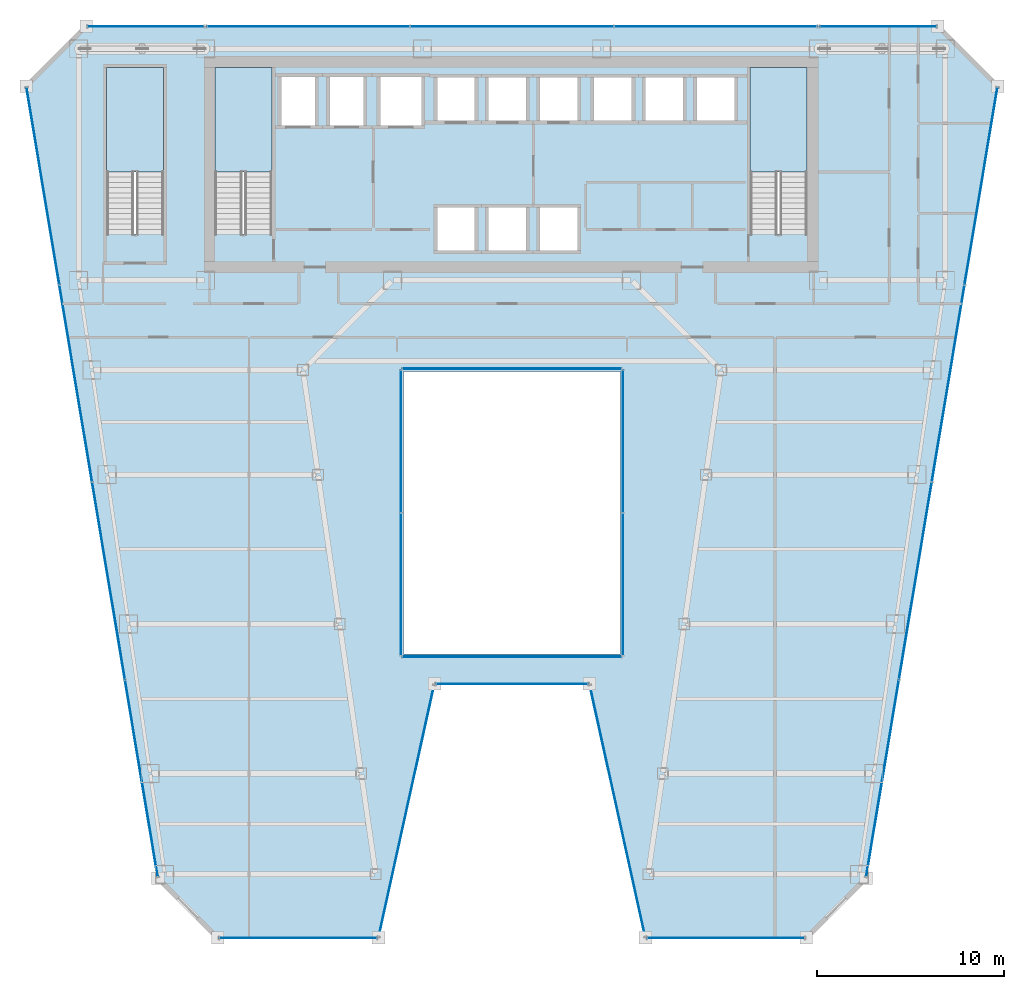
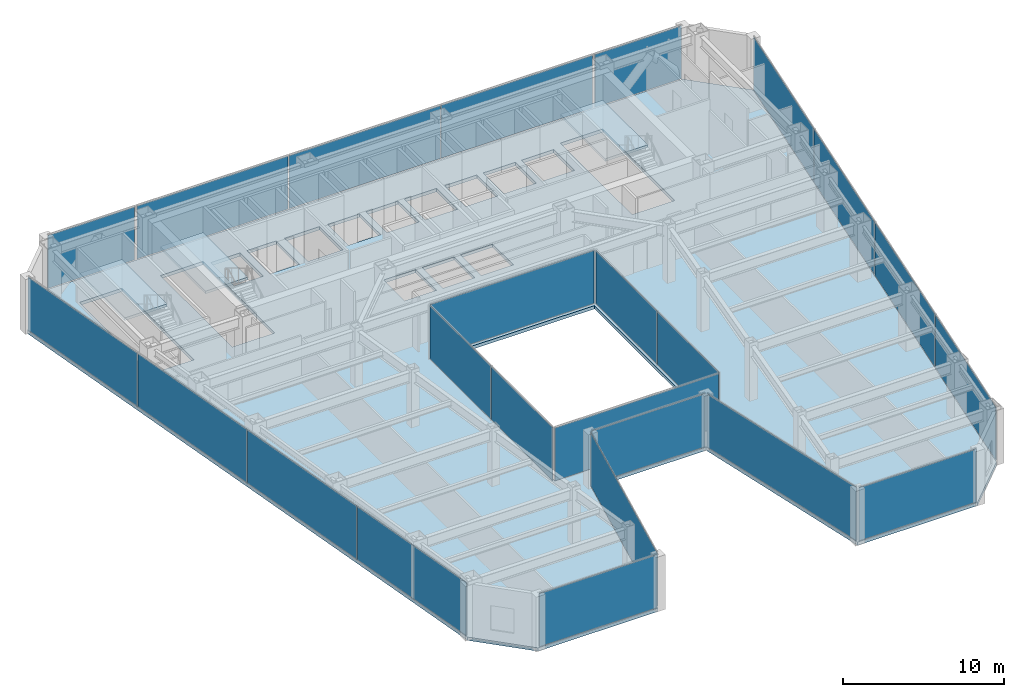
# One storey, part 30 of 37: 24 plates, 4 slabs, 17 elements without a shape of their own.
"""IFC4 building model written with IfcOpenShell, lengths in metres."""

import ifcopenshell
import ifcopenshell.guid

model = None  # the IFC model being written
_history = None  # IfcOwnerHistory: only IFC2X3 demands one
_inside = {}  # id of a spatial element -> (the spatial element, [elements in it])
_under = {}  # id of a project, library or spatial element -> (it, [spatial elements below it])
_declared = {}  # id of a project -> (the project, [libraries it declares])
_typed = {}  # id of a type object -> (the type object, [elements of that type])
_made_of = {}  # id of a material, layer set ... -> (it, [elements and type objects made of it])


def new_model(schema):
    """Start an empty IFC model of exactly this schema.

    Asked for "IFC4X3", IfcOpenShell would pick the latest addendum, in which some entities
    have other attributes; the version numbers below select the first issue.
    IFC2X3 requires an IfcOwnerHistory on every rooted entity: one is made here for all.
    """
    global model, _history
    if schema == "IFC4X3":
        model = ifcopenshell.file(schema_version=(4, 3, 0, 0))
    else:
        model = ifcopenshell.file(schema=schema)
    _inside.clear()
    _under.clear()
    _declared.clear()
    _typed.clear()
    _made_of.clear()
    _history = None
    if model.schema == "IFC2X3":
        org = make("IfcOrganization", Name="unknown")
        user = make(
            "IfcPersonAndOrganization",
            ThePerson=make("IfcPerson", FamilyName="unknown"),
            TheOrganization=org,
        )
        app = make(
            "IfcApplication",
            ApplicationDeveloper=org,
            Version="unknown",
            ApplicationFullName="unknown",
            ApplicationIdentifier="unknown",
        )
        _history = make(
            "IfcOwnerHistory",
            OwningUser=user,
            OwningApplication=app,
            ChangeAction="ADDED",
            CreationDate=0,
        )
    return model


def make(cls, **values):
    """One entity of the class cls with the attributes given. An attribute that is None is left unset."""
    return model.create_entity(
        cls, **{name: value for name, value in values.items() if value is not None}
    )


def rooted(cls, **values):
    """An entity with a GlobalId (a new one), such as an element, a storey or a relation."""
    return make(cls, GlobalId=ifcopenshell.guid.new(), OwnerHistory=_history, **values)


def si_unit(unit_type, name, prefix=None):
    """IfcSIUnit, for example si_unit("LENGTHUNIT", "METRE", prefix="MILLI")."""
    return make("IfcSIUnit", UnitType=unit_type, Prefix=prefix, Name=name)


def assignment(units):
    """IfcUnitAssignment: the units of a project."""
    return None if units is None else make("IfcUnitAssignment", Units=units)


def point(xyz):
    """IfcCartesianPoint."""
    return None if xyz is None else make("IfcCartesianPoint", Coordinates=xyz)


def direction(xyz):
    """IfcDirection."""
    return None if xyz is None else make("IfcDirection", DirectionRatios=xyz)


def frame(location, z_axis=None, x_axis=None):
    """IfcAxis2Placement3D, a coordinate frame: its origin and axes. An axis left out is left unset."""
    return make(
        "IfcAxis2Placement3D",
        Location=point(location),
        Axis=direction(z_axis),
        RefDirection=direction(x_axis),
    )


def frame_2d(location, x_axis=None):
    """IfcAxis2Placement2D, a coordinate frame in the plane: its origin and x axis."""
    return make(
        "IfcAxis2Placement2D", Location=point(location), RefDirection=direction(x_axis)
    )


def origin():
    """The frame at (0, 0, 0) with its axes left unset."""
    return frame((0.0, 0.0, 0.0))


def origin_2d():
    """The frame at (0, 0) in the plane with its x axis left unset."""
    return frame_2d((0.0, 0.0))


def place(relative_to, where):
    """IfcLocalPlacement: puts the frame where relative to a parent placement (None: the world)."""
    return make(
        "IfcLocalPlacement", PlacementRelTo=relative_to, RelativePlacement=where
    )


def context(
    kind, dimensions, precision=None, world=None, true_north=None, identifier=None
):
    """IfcGeometricRepresentationContext, for example the 3D "Model" context."""
    return make(
        "IfcGeometricRepresentationContext",
        ContextIdentifier=identifier,
        ContextType=kind,
        CoordinateSpaceDimension=dimensions,
        Precision=precision,
        WorldCoordinateSystem=world,
        TrueNorth=true_north,
    )


def subcontext(parent, identifier, kind, view, scale=None):
    """IfcGeometricRepresentationSubContext, for example "Body" below "Model"."""
    return make(
        "IfcGeometricRepresentationSubContext",
        ContextIdentifier=identifier,
        ContextType=kind,
        ParentContext=parent,
        TargetScale=scale,
        TargetView=view,
    )


def project(units=None, contexts=None):
    """IfcProject with its units and contexts."""
    return rooted(
        "IfcProject",
        Name="project",
        RepresentationContexts=contexts,
        UnitsInContext=assignment(units),
    )


def spatial(cls, under=None, at=None, **own):
    """A site, building, storey or space (cls), placed at a placement, below another one or the project."""
    s = rooted(cls, ObjectPlacement=at, **own)
    if under is not None:
        _under.setdefault(under.id(), (under, []))[1].append(s)
    return s


def polyline(points):
    """IfcPolyline through the points."""
    return make("IfcPolyline", Points=[point(p) for p in points])


def profile(cls, at=None, kind="AREA", **sizes):
    """A parametric profile (cls). Its sizes go by their IFC names, for example OverallWidth=200.0."""
    return make(cls, ProfileType=kind, Position=at, **sizes)


def rectangle(**sizes):
    """IfcRectangleProfileDef."""
    return profile("IfcRectangleProfileDef", **sizes)


def outline(outer, holes=None, kind="AREA"):
    """IfcArbitraryClosedProfileDef: a profile drawn as a closed curve; with holes, ...WithVoids."""
    if holes is None:
        return make("IfcArbitraryClosedProfileDef", ProfileType=kind, OuterCurve=outer)
    return make(
        "IfcArbitraryProfileDefWithVoids",
        ProfileType=kind,
        OuterCurve=outer,
        InnerCurves=holes,
    )


def extrude(swept, where, along, depth):
    """IfcExtrudedAreaSolid: the profile swept, set in the frame where, extruded along a direction by depth."""
    return make(
        "IfcExtrudedAreaSolid",
        SweptArea=swept,
        Position=where,
        ExtrudedDirection=direction(along),
        Depth=depth,
    )


def shape(context_of_items, identifier, shape_type, items):
    """IfcShapeRepresentation: the items that make up one representation, for example the "Body"."""
    return make(
        "IfcShapeRepresentation",
        ContextOfItems=context_of_items,
        RepresentationIdentifier=identifier,
        RepresentationType=shape_type,
        Items=items,
    )


def material(Name=None, Category=None):
    """IfcMaterial."""
    return make("IfcMaterial", Name=Name, Category=Category)


def layer(
    of_material, thickness, ventilated=None, Name=None, Category=None, Priority=None
):
    """IfcMaterialLayer: one layer of a wall or slab, of a material (None: an air gap)."""
    return make(
        "IfcMaterialLayer",
        Material=of_material,
        LayerThickness=thickness,
        IsVentilated=ventilated,
        Name=Name,
        Category=Category,
        Priority=Priority,
    )


def layer_set(layers, Name=None):
    """IfcMaterialLayerSet."""
    return make("IfcMaterialLayerSet", MaterialLayers=layers, LayerSetName=Name)


def made_of(thing, what):
    """Note that an element or type object is made of a material, layer set ...; save() writes the relation."""
    if what is not None:
        _made_of.setdefault(what.id(), (what, []))[1].append(thing)
    return thing


def type_object(cls, material=None, **own):
    """A type object (cls), such as IfcWallType, which elements share."""
    return made_of(rooted(cls, **own), material)


def element(
    cls,
    number,
    at=None,
    inside=None,
    cuts=None,
    type_object=None,
    material=None,
    context=None,
    identifier="Body",
    shape_type=None,
    held_by="IfcProductDefinitionShape",
    body=None,
    shapes=None,
    **own,
):
    """One element of the class cls, such as IfcWall. Its Tag is "e" and its number.

    at: its placement. inside: the storey or other place that contains it. cuts: it is an
    opening in that element (IfcRelVoidsElement). A single representation is given by context,
    identifier, shape_type and body (its items); several are given by shapes. held_by: the class
    of the entity that holds the representations. save() writes the other relations.
    """
    e = rooted(cls, Tag="e%d" % number, ObjectPlacement=at, **own)
    if body is not None:
        shapes = [shape(context, identifier, shape_type, body)]
    if shapes is not None:
        e.Representation = make(held_by, Representations=shapes)
    if inside is not None:
        _inside.setdefault(inside.id(), (inside, []))[1].append(e)
    if cuts is not None:
        rooted(
            "IfcRelVoidsElement", RelatingBuildingElement=cuts, RelatedOpeningElement=e
        )
    if type_object is not None:
        _typed.setdefault(type_object.id(), (type_object, []))[1].append(e)
    return made_of(e, material)


def aggregate(whole, parts):
    """IfcRelAggregates: a whole, such as a stair, and the parts it consists of."""
    return rooted("IfcRelAggregates", RelatingObject=whole, RelatedObjects=parts)


def save(model, path):
    """Write the relations noted so far, then the file.

    IfcRelAggregates (storeys below a building ...), IfcRelContainedInSpatialStructure (elements
    in a storey), IfcRelDefinesByType, IfcRelAssociatesMaterial and IfcRelDeclares: one each for
    every whole, place, type object, material and project.
    """
    for whole, parts in _under.values():
        aggregate(whole, parts)
    for where, things in _inside.values():
        rooted(
            "IfcRelContainedInSpatialStructure",
            RelatedElements=things,
            RelatingStructure=where,
        )
    for kind, things in _typed.values():
        rooted("IfcRelDefinesByType", RelatedObjects=things, RelatingType=kind)
    for what, things in _made_of.values():
        rooted("IfcRelAssociatesMaterial", RelatedObjects=things, RelatingMaterial=what)
    for by, libraries in _declared.values():
        rooted("IfcRelDeclares", RelatingContext=by, RelatedDefinitions=libraries)
    model.write(path)


model = new_model("IFC4")

# Units and contexts
model_context = context("Model", 3, precision=1e-05, world=origin(), true_north=direction((0.0, 1.0)))
body_context = subcontext(model_context, "Body", "Model", "MODEL_VIEW")
ifc_project = project(units=[si_unit("LENGTHUNIT", "METRE"), si_unit("AREAUNIT", "SQUARE_METRE"), si_unit("VOLUMEUNIT", "CUBIC_METRE"), si_unit("PLANEANGLEUNIT", "RADIAN"), si_unit("MASSUNIT", "GRAM", prefix="KILO")], contexts=[model_context])

# Site, building, storey
site_placement = place(None, origin())
site = spatial("IfcSite", under=ifc_project, at=site_placement, CompositionType="ELEMENT")
building_placement = place(site_placement, origin())
building = spatial("IfcBuilding", under=site, at=building_placement, Name="Saevonmaru Cultural Tower", CompositionType="ELEMENT")
storey_placement = place(building_placement, frame((0.0, 0.0, 106.0)))
storey = spatial("IfcBuildingStorey", under=building, at=storey_placement, Name="L22", CompositionType="ELEMENT", Elevation=106.0)

# Curtain wall, plate
ifc_material_1 = material(Name="Satin Bronze Anodised Aluminium", Category="aluminium")
curtain_wall_type_1 = type_object("IfcCurtainWallType", Name="CW-ATR-GLZ", PredefinedType="NOTDEFINED", material=ifc_material_1)
curtain_wall_1_placement = place(storey_placement, origin())
curtain_wall_1 = element("IfcCurtainWall", 1, at=curtain_wall_1_placement, inside=storey, type_object=curtain_wall_type_1, Name="L22 Vertical Atrium Glazed Smoke Screen 1", PredefinedType="NOTDEFINED")
ifc_material_2 = material(Name="Fire-Rated Laminated Atrium Glass", Category="glass")
ifc_layer_1 = layer(ifc_material_2, 0.031982421875, Name="Fire-Rated Laminated Atrium Glass")
ifc_layer_set_1 = layer_set([ifc_layer_1], Name="Fire-Rated Laminated Atrium Glass")
plate_type_1 = type_object("IfcPlateType", Name="PN-GLZ-ATR-INT", PredefinedType="CURTAIN_PANEL", material=ifc_layer_set_1)
plate_1_placement = place(storey_placement, frame((30.0, 22.25, 0.06689453125), z_axis=(0.0, 0.0, 1.0), x_axis=(1.0, 0.0, 0.0)))
plate_1 = element("IfcPlate", 2, at=plate_1_placement, type_object=plate_type_1, Name="CW-ATR-L22-1 panel 1.1", PredefinedType="CURTAIN_PANEL", context=body_context, shape_type="SweptSolid", body=[
    extrude(rectangle(XDim=11.7109375, YDim=0.031982421875, at=origin_2d()), origin(), (0.0, 0.0, 1.0), 4.01611328125),
])
aggregate(curtain_wall_1, [plate_1])

# Curtain wall, plates
curtain_wall_2_placement = place(storey_placement, origin())
curtain_wall_2 = element("IfcCurtainWall", 3, at=curtain_wall_2_placement, inside=storey, type_object=curtain_wall_type_1, Name="L22 Vertical Atrium Glazed Smoke Screen 2", PredefinedType="NOTDEFINED")
plate_2_placement = place(storey_placement, frame((35.949951171875, 26.135009765625, 0.06689453125), z_axis=(0.0, 0.0, 1.0), x_axis=(0.0, 1.0, 0.0)))
plate_2 = element("IfcPlate", 4, at=plate_2_placement, type_object=plate_type_1, Name="CW-ATR-L22-2 panel 1.1", PredefinedType="CURTAIN_PANEL", context=body_context, shape_type="SweptSolid", body=[
    extrude(rectangle(XDim=7.5810546875, YDim=0.031982421875, at=origin_2d()), origin(), (0.0, 0.0, 1.0), 4.01611328125),
])
plate_3_placement = place(storey_placement, frame((35.949951171875, 33.784912109375, 0.06689453125), z_axis=(0.0, 0.0, 1.0), x_axis=(0.0, 1.0, 0.0)))
plate_3 = element("IfcPlate", 5, at=plate_3_placement, type_object=plate_type_1, Name="CW-ATR-L22-2 panel 2.1", PredefinedType="CURTAIN_PANEL", context=body_context, shape_type="SweptSolid", body=[
    extrude(rectangle(XDim=7.5810546875, YDim=0.031982421875, at=origin_2d()), origin(), (0.0, 0.0, 1.0), 4.01611328125),
])
aggregate(curtain_wall_2, [plate_2, plate_3])

# Curtain wall, plate
curtain_wall_3_placement = place(storey_placement, origin())
curtain_wall_3 = element("IfcCurtainWall", 6, at=curtain_wall_3_placement, inside=storey, type_object=curtain_wall_type_1, Name="L22 Vertical Atrium Glazed Smoke Screen 3", PredefinedType="NOTDEFINED")
plate_4_placement = place(storey_placement, frame((30.0, 37.669921875, 0.06689453125), z_axis=(0.0, 0.0, 1.0), x_axis=(-1.0, 0.0, 0.0)))
plate_4 = element("IfcPlate", 7, at=plate_4_placement, type_object=plate_type_1, Name="CW-ATR-L22-3 panel 1.1", PredefinedType="CURTAIN_PANEL", context=body_context, shape_type="SweptSolid", body=[
    extrude(rectangle(XDim=11.7109375, YDim=0.031982421875, at=origin_2d()), origin(), (0.0, 0.0, 1.0), 4.01611328125),
])
aggregate(curtain_wall_3, [plate_4])

# Curtain wall, plates
curtain_wall_4_placement = place(storey_placement, origin())
curtain_wall_4 = element("IfcCurtainWall", 8, at=curtain_wall_4_placement, inside=storey, type_object=curtain_wall_type_1, Name="L22 Vertical Atrium Glazed Smoke Screen 4", PredefinedType="NOTDEFINED")
plate_5_placement = place(storey_placement, frame((24.050048828125, 33.784912109375, 0.06689453125), z_axis=(0.0, 0.0, 1.0), x_axis=(0.0, -1.0, 0.0)))
plate_5 = element("IfcPlate", 9, at=plate_5_placement, type_object=plate_type_1, Name="CW-ATR-L22-4 panel 1.1", PredefinedType="CURTAIN_PANEL", context=body_context, shape_type="SweptSolid", body=[
    extrude(rectangle(XDim=7.5810546875, YDim=0.031982421875, at=origin_2d()), origin(), (0.0, 0.0, 1.0), 4.01611328125),
])
plate_6_placement = place(storey_placement, frame((24.050048828125, 26.135009765625, 0.06689453125), z_axis=(0.0, 0.0, 1.0), x_axis=(0.0, -1.0, 0.0)))
plate_6 = element("IfcPlate", 10, at=plate_6_placement, type_object=plate_type_1, Name="CW-ATR-L22-4 panel 2.1", PredefinedType="CURTAIN_PANEL", context=body_context, shape_type="SweptSolid", body=[
    extrude(rectangle(XDim=7.5810546875, YDim=0.031982421875, at=origin_2d()), origin(), (0.0, 0.0, 1.0), 4.01611328125),
])
aggregate(curtain_wall_4, [plate_5, plate_6])

# Curtain wall, plate
curtain_wall_type_2 = type_object("IfcCurtainWallType", Name="CW-TYP-A", PredefinedType="NOTDEFINED", material=ifc_material_1)
curtain_wall_5_placement = place(storey_placement, origin())
curtain_wall_5 = element("IfcCurtainWall", 11, at=curtain_wall_5_placement, inside=storey, type_object=curtain_wall_type_2, Name="L22 Unitised Curtain Wall E2", PredefinedType="NOTDEFINED")
ifc_material_3 = material(Name="Triple Silver Low-E Insulating Glass", Category="glass")
ifc_layer_2 = layer(ifc_material_3, 0.035888671875, Name="Triple Silver Low-E Insulating Glass")
ifc_layer_set_2 = layer_set([ifc_layer_2], Name="Triple Silver Low-E Insulating Glass")
plate_type_2 = type_object("IfcPlateType", Name="PN-GLZ-IGU", PredefinedType="CURTAIN_PANEL", material=ifc_layer_set_2)
plate_7_placement = place(storey_placement, frame((18.548828125, 7.199951171875, 0.06689453125), z_axis=(0.0, 0.0, 1.0), x_axis=(1.0, 0.0, 0.0)))
plate_7 = element("IfcPlate", 12, at=plate_7_placement, type_object=plate_type_2, Name="CW-TW-L22-E2 panel 1.1", PredefinedType="CURTAIN_PANEL", context=body_context, shape_type="SweptSolid", body=[
    extrude(rectangle(XDim=8.410888671875, YDim=0.035888671875, at=origin_2d()), origin(), (0.0, 0.0, 1.0), 4.01611328125),
])
aggregate(curtain_wall_5, [plate_7])

curtain_wall_6_placement = place(storey_placement, origin())
curtain_wall_6 = element("IfcCurtainWall", 13, at=curtain_wall_6_placement, inside=storey, type_object=curtain_wall_type_2, Name="L22 Unitised Curtain Wall E3", PredefinedType="NOTDEFINED")
plate_8_placement = place(storey_placement, frame((24.348876953125, 14.0, 0.06689453125), z_axis=(0.0, 0.0, 1.0), x_axis=(0.215413319953, 0.976522965212, 0.0)))
plate_8 = element("IfcPlate", 14, at=plate_8_placement, type_object=plate_type_2, Name="CW-TW-L22-E3 panel 1.1", PredefinedType="CURTAIN_PANEL", context=body_context, shape_type="SweptSolid", body=[
    extrude(rectangle(XDim=13.738037109375, YDim=0.035888671875, at=origin_2d()), origin(), (0.0, 0.0, 1.0), 4.01611328125),
])
aggregate(curtain_wall_6, [plate_8])

curtain_wall_7_placement = place(storey_placement, origin())
curtain_wall_7 = element("IfcCurtainWall", 15, at=curtain_wall_7_placement, inside=storey, type_object=curtain_wall_type_2, Name="L22 Unitised Curtain Wall E4", PredefinedType="NOTDEFINED")
plate_9_placement = place(storey_placement, frame((30.0, 20.800048828125, 0.06689453125), z_axis=(0.0, 0.0, 1.0), x_axis=(1.0, 0.0, 0.0)))
plate_9 = element("IfcPlate", 16, at=plate_9_placement, type_object=plate_type_2, Name="CW-TW-L22-E4 panel 1.1", PredefinedType="CURTAIN_PANEL", context=body_context, shape_type="SweptSolid", body=[
    extrude(rectangle(XDim=8.11328125, YDim=0.035888671875, at=origin_2d()), origin(), (0.0, 0.0, 1.0), 4.01611328125),
])
aggregate(curtain_wall_7, [plate_9])

curtain_wall_8_placement = place(storey_placement, origin())
curtain_wall_8 = element("IfcCurtainWall", 17, at=curtain_wall_8_placement, inside=storey, type_object=curtain_wall_type_2, Name="L22 Unitised Curtain Wall E5", PredefinedType="NOTDEFINED")
plate_10_placement = place(storey_placement, frame((35.651123046875, 14.0, 0.06689453125), z_axis=(0.0, 0.0, 1.0), x_axis=(0.215413319953, -0.976522965212, 0.0)))
plate_10 = element("IfcPlate", 18, at=plate_10_placement, type_object=plate_type_2, Name="CW-TW-L22-E5 panel 1.1", PredefinedType="CURTAIN_PANEL", context=body_context, shape_type="SweptSolid", body=[
    extrude(rectangle(XDim=13.738037109375, YDim=0.035888671875, at=origin_2d()), origin(), (0.0, 0.0, 1.0), 4.01611328125),
])
aggregate(curtain_wall_8, [plate_10])

curtain_wall_9_placement = place(storey_placement, origin())
curtain_wall_9 = element("IfcCurtainWall", 19, at=curtain_wall_9_placement, inside=storey, type_object=curtain_wall_type_2, Name="L22 Unitised Curtain Wall E6", PredefinedType="NOTDEFINED")
plate_11_placement = place(storey_placement, frame((41.451171875, 7.199951171875, 0.06689453125), z_axis=(0.0, 0.0, 1.0), x_axis=(1.0, 0.0, 0.0)))
plate_11 = element("IfcPlate", 20, at=plate_11_placement, type_object=plate_type_2, Name="CW-TW-L22-E6 panel 1.1", PredefinedType="CURTAIN_PANEL", context=body_context, shape_type="SweptSolid", body=[
    extrude(rectangle(XDim=8.410888671875, YDim=0.035888671875, at=origin_2d()), origin(), (0.0, 0.0, 1.0), 4.01611328125),
])
aggregate(curtain_wall_9, [plate_11])

# Curtain wall, plates
curtain_wall_10_placement = place(storey_placement, origin())
curtain_wall_10 = element("IfcCurtainWall", 21, at=curtain_wall_10_placement, inside=storey, type_object=curtain_wall_type_2, Name="L22 Unitised Curtain Wall E8", PredefinedType="NOTDEFINED")
plate_12_placement = place(storey_placement, frame((49.839599609375, 15.744384765625, 0.06689453125), z_axis=(0.0, 0.0, 1.0), x_axis=(0.163998702345, 0.986460554523, 0.0)))
plate_12 = element("IfcPlate", 22, at=plate_12_placement, type_object=plate_type_2, Name="CW-TW-L22-E8 panel 1.1", PredefinedType="CURTAIN_PANEL", context=body_context, shape_type="SweptSolid", body=[
    extrude(rectangle(XDim=10.646484375, YDim=0.035888671875, at=origin_2d()), origin(), (0.0, 0.0, 1.0), 4.01611328125),
])
plate_13_placement = place(storey_placement, frame((51.596923828125, 26.314697265625, 0.06689453125), z_axis=(0.0, 0.0, 1.0), x_axis=(0.163998702345, 0.986460554523, 0.0)))
plate_13 = element("IfcPlate", 23, at=plate_13_placement, type_object=plate_type_2, Name="CW-TW-L22-E8 panel 2.1", PredefinedType="CURTAIN_PANEL", context=body_context, shape_type="SweptSolid", body=[
    extrude(rectangle(XDim=10.646484375, YDim=0.035888671875, at=origin_2d()), origin(), (0.0, 0.0, 1.0), 4.01611328125),
])
plate_14_placement = place(storey_placement, frame((53.354248046875, 36.88525390625, 0.06689453125), z_axis=(0.0, 0.0, 1.0), x_axis=(0.163998702345, 0.986460554523, 0.0)))
plate_14 = element("IfcPlate", 24, at=plate_14_placement, type_object=plate_type_2, Name="CW-TW-L22-E8 panel 3.1", PredefinedType="CURTAIN_PANEL", context=body_context, shape_type="SweptSolid", body=[
    extrude(rectangle(XDim=10.646484375, YDim=0.035888671875, at=origin_2d()), origin(), (0.0, 0.0, 1.0), 4.01611328125),
])
plate_15_placement = place(storey_placement, frame((55.111572265625, 47.45556640625, 0.06689453125), z_axis=(0.0, 0.0, 1.0), x_axis=(0.163998702345, 0.986460554523, 0.0)))
plate_15 = element("IfcPlate", 25, at=plate_15_placement, type_object=plate_type_2, Name="CW-TW-L22-E8 panel 4.1", PredefinedType="CURTAIN_PANEL", context=body_context, shape_type="SweptSolid", body=[
    extrude(rectangle(XDim=10.646484375, YDim=0.035888671875, at=origin_2d()), origin(), (0.0, 0.0, 1.0), 4.01611328125),
])
aggregate(curtain_wall_10, [plate_12, plate_13, plate_14, plate_15])

curtain_wall_11_placement = place(storey_placement, origin())
curtain_wall_11 = element("IfcCurtainWall", 26, at=curtain_wall_11_placement, inside=storey, type_object=curtain_wall_type_2, Name="L22 North Spine Unitised Curtain Wall E10B", PredefinedType="NOTDEFINED")
plate_16_placement = place(storey_placement, frame((40.893310546875, 56.0, 0.06689453125), z_axis=(0.0, 0.0, 1.0), x_axis=(-1.0, 0.0, 0.0)))
plate_16 = element("IfcPlate", 27, at=plate_16_placement, type_object=plate_type_2, Name="CW-TW-L22-E10B panel 1.1", PredefinedType="CURTAIN_PANEL", context=body_context, shape_type="SweptSolid", body=[
    extrude(rectangle(XDim=10.82421875, YDim=0.035888671875, at=origin_2d()), origin(), (0.0, 0.0, 1.0), 4.01611328125),
])
plate_17_placement = place(storey_placement, frame((30.0, 56.0, 0.06689453125), z_axis=(0.0, 0.0, 1.0), x_axis=(-1.0, 0.0, 0.0)))
plate_17 = element("IfcPlate", 28, at=plate_17_placement, type_object=plate_type_2, Name="CW-TW-L22-E10B panel 2.1", PredefinedType="CURTAIN_PANEL", context=body_context, shape_type="SweptSolid", body=[
    extrude(rectangle(XDim=10.82421875, YDim=0.035888671875, at=origin_2d()), origin(), (0.0, 0.0, 1.0), 4.01611328125),
])
plate_18_placement = place(storey_placement, frame((19.106689453125, 56.0, 0.06689453125), z_axis=(0.0, 0.0, 1.0), x_axis=(-1.0, 0.0, 0.0)))
plate_18 = element("IfcPlate", 29, at=plate_18_placement, type_object=plate_type_2, Name="CW-TW-L22-E10B panel 3.1", PredefinedType="CURTAIN_PANEL", context=body_context, shape_type="SweptSolid", body=[
    extrude(rectangle(XDim=10.82421875, YDim=0.035888671875, at=origin_2d()), origin(), (0.0, 0.0, 1.0), 4.01611328125),
])
aggregate(curtain_wall_11, [plate_16, plate_17, plate_18])

curtain_wall_12_placement = place(storey_placement, origin())
curtain_wall_12 = element("IfcCurtainWall", 30, at=curtain_wall_12_placement, inside=storey, type_object=curtain_wall_type_2, Name="L22 Unitised Curtain Wall E12", PredefinedType="NOTDEFINED")
plate_19_placement = place(storey_placement, frame((4.888427734375, 47.45556640625, 0.06689453125), z_axis=(0.0, 0.0, 1.0), x_axis=(0.163998702345, -0.986460554523, 0.0)))
plate_19 = element("IfcPlate", 31, at=plate_19_placement, type_object=plate_type_2, Name="CW-TW-L22-E12 panel 1.1", PredefinedType="CURTAIN_PANEL", context=body_context, shape_type="SweptSolid", body=[
    extrude(rectangle(XDim=10.646484375, YDim=0.035888671875, at=origin_2d()), origin(), (0.0, 0.0, 1.0), 4.01611328125),
])
plate_20_placement = place(storey_placement, frame((6.645751953125, 36.88525390625, 0.06689453125), z_axis=(0.0, 0.0, 1.0), x_axis=(0.163998702345, -0.986460554523, 0.0)))
plate_20 = element("IfcPlate", 32, at=plate_20_placement, type_object=plate_type_2, Name="CW-TW-L22-E12 panel 2.1", PredefinedType="CURTAIN_PANEL", context=body_context, shape_type="SweptSolid", body=[
    extrude(rectangle(XDim=10.646484375, YDim=0.035888671875, at=origin_2d()), origin(), (0.0, 0.0, 1.0), 4.01611328125),
])
plate_21_placement = place(storey_placement, frame((8.403076171875, 26.314697265625, 0.06689453125), z_axis=(0.0, 0.0, 1.0), x_axis=(0.163998702345, -0.986460554523, 0.0)))
plate_21 = element("IfcPlate", 33, at=plate_21_placement, type_object=plate_type_2, Name="CW-TW-L22-E12 panel 3.1", PredefinedType="CURTAIN_PANEL", context=body_context, shape_type="SweptSolid", body=[
    extrude(rectangle(XDim=10.646484375, YDim=0.035888671875, at=origin_2d()), origin(), (0.0, 0.0, 1.0), 4.01611328125),
])
plate_22_placement = place(storey_placement, frame((10.160400390625, 15.744384765625, 0.06689453125), z_axis=(0.0, 0.0, 1.0), x_axis=(0.163998702345, -0.986460554523, 0.0)))
plate_22 = element("IfcPlate", 34, at=plate_22_placement, type_object=plate_type_2, Name="CW-TW-L22-E12 panel 4.1", PredefinedType="CURTAIN_PANEL", context=body_context, shape_type="SweptSolid", body=[
    extrude(rectangle(XDim=10.646484375, YDim=0.035888671875, at=origin_2d()), origin(), (0.0, 0.0, 1.0), 4.01611328125),
])
aggregate(curtain_wall_12, [plate_19, plate_20, plate_21, plate_22])

# Curtain wall, plate
curtain_wall_13_placement = place(storey_placement, origin())
curtain_wall_13 = element("IfcCurtainWall", 35, at=curtain_wall_13_placement, inside=storey, type_object=curtain_wall_type_2, Name="L22 East Braced Bay Spandrel Curtain Wall E10A", PredefinedType="NOTDEFINED")
ifc_material_4 = material(Name="Insulated Satin Bronze Aluminium Spandrel Panel", Category="aluminium")
ifc_layer_3 = layer(ifc_material_4, 0.0400390625, Name="Insulated Satin Bronze Aluminium Spandrel Panel")
ifc_layer_set_3 = layer_set([ifc_layer_3], Name="Insulated Satin Bronze Aluminium Spandrel Panel")
plate_type_3 = type_object("IfcPlateType", Name="PN-SPANDREL-BRONZE", PredefinedType="CURTAIN_PANEL", material=ifc_layer_set_3)
plate_23_placement = place(storey_placement, frame((49.60009765625, 56.0, 0.06689453125), z_axis=(0.0, 0.0, 1.0), x_axis=(-1.0, 0.0, 0.0)))
plate_23 = element("IfcPlate", 36, at=plate_23_placement, type_object=plate_type_3, Name="CW-TW-L22-E10A panel 1.1", PredefinedType="CURTAIN_PANEL", context=body_context, shape_type="SweptSolid", body=[
    extrude(rectangle(XDim=6.2109375, YDim=0.035888671875, at=origin_2d()), origin(), (0.0, 0.0, 1.0), 4.01611328125),
])
aggregate(curtain_wall_13, [plate_23])

curtain_wall_14_placement = place(storey_placement, origin())
curtain_wall_14 = element("IfcCurtainWall", 37, at=curtain_wall_14_placement, inside=storey, type_object=curtain_wall_type_2, Name="L22 West Braced Bay Spandrel Curtain Wall E10C", PredefinedType="NOTDEFINED")
plate_24_placement = place(storey_placement, frame((10.39990234375, 56.0, 0.06689453125), z_axis=(0.0, 0.0, 1.0), x_axis=(-1.0, 0.0, 0.0)))
plate_24 = element("IfcPlate", 38, at=plate_24_placement, type_object=plate_type_3, Name="CW-TW-L22-E10C panel 1.1", PredefinedType="CURTAIN_PANEL", context=body_context, shape_type="SweptSolid", body=[
    extrude(rectangle(XDim=6.2109375, YDim=0.035888671875, at=origin_2d()), origin(), (0.0, 0.0, 1.0), 4.01611328125),
])
aggregate(curtain_wall_14, [plate_24])

# Slab
ifc_material_5 = material(Name="Concrete C40/50", Category="concrete")
ifc_layer_4 = layer(ifc_material_5, 0.25, Name="Concrete C40/50")
ifc_layer_set_4 = layer_set([ifc_layer_4], Name="Concrete C40/50")
slab_type_1 = type_object("IfcSlabType", Name="SL-FLR-250", PredefinedType="FLOOR", material=ifc_layer_set_4)
slab_1_placement = place(storey_placement, frame((0.0, 0.0, -0.25)))
element("IfcSlab", 39, at=slab_1_placement, inside=storey, type_object=slab_type_1, Name="L22 Tower Structural Floor Slab", PredefinedType="FLOOR", context=body_context, shape_type="SweptSolid", body=[
    extrude(outline(polyline([(11.048828125, 10.39990234375), (14.248779296875, 7.199951171875), (22.848876953125, 7.199951171875), (25.848876953125, 20.800048828125), (34.151123046875, 20.800048828125), (37.151123046875, 7.199951171875), (45.751220703125, 7.199951171875), (48.951171875, 10.39990234375), (56.0, 52.800048828125), (52.800048828125, 56.0), (7.199951171875, 56.0), (4.0, 52.800048828125), (11.048828125, 10.39990234375)]), holes=[polyline([(45.800048828125, 44.875), (42.75, 44.875), (42.75, 53.800048828125), (45.800048828125, 53.800048828125), (45.800048828125, 44.875)]), polyline([(39.75, 50.800048828125), (39.75, 53.39990234375), (42.050048828125, 53.39990234375), (42.050048828125, 50.800048828125), (39.75, 50.800048828125)]), polyline([(37.0, 50.800048828125), (37.0, 53.39990234375), (39.300048828125, 53.39990234375), (39.300048828125, 50.800048828125), (37.0, 50.800048828125)]), polyline([(34.25, 50.800048828125), (34.25, 53.39990234375), (36.550048828125, 53.39990234375), (36.550048828125, 50.800048828125), (34.25, 50.800048828125)]), polyline([(24.199951171875, 22.39990234375), (24.199951171875, 37.52001953125), (35.800048828125, 37.52001953125), (35.800048828125, 22.39990234375), (24.199951171875, 22.39990234375)]), polyline([(31.35009765625, 50.800048828125), (31.35009765625, 53.39990234375), (33.64990234375, 53.39990234375), (33.64990234375, 50.800048828125), (31.35009765625, 50.800048828125)]), polyline([(31.35009765625, 43.85009765625), (31.35009765625, 46.449951171875), (33.64990234375, 46.449951171875), (33.64990234375, 43.85009765625), (31.35009765625, 43.85009765625)]), polyline([(28.60009765625, 43.85009765625), (28.60009765625, 46.449951171875), (30.89990234375, 46.449951171875), (30.89990234375, 43.85009765625), (28.60009765625, 43.85009765625)]), polyline([(28.60009765625, 50.800048828125), (28.60009765625, 53.39990234375), (30.89990234375, 53.39990234375), (30.89990234375, 50.800048828125), (28.60009765625, 50.800048828125)]), polyline([(25.85009765625, 50.800048828125), (25.85009765625, 53.39990234375), (28.14990234375, 53.39990234375), (28.14990234375, 50.800048828125), (25.85009765625, 50.800048828125)]), polyline([(25.85009765625, 43.85009765625), (25.85009765625, 46.449951171875), (28.14990234375, 46.449951171875), (28.14990234375, 43.85009765625), (25.85009765625, 43.85009765625)]), polyline([(22.800048828125, 50.550048828125), (22.800048828125, 53.449951171875), (25.300048828125, 53.449951171875), (25.300048828125, 50.550048828125), (22.800048828125, 50.550048828125)]), polyline([(20.10009765625, 50.550048828125), (20.10009765625, 53.449951171875), (22.199951171875, 53.449951171875), (22.199951171875, 50.550048828125), (20.10009765625, 50.550048828125)]), polyline([(17.5, 50.550048828125), (17.5, 53.449951171875), (19.60009765625, 53.449951171875), (19.60009765625, 50.550048828125), (17.5, 50.550048828125)]), polyline([(17.14990234375, 44.875), (14.10009765625, 44.875), (14.10009765625, 53.800048828125), (17.14990234375, 53.800048828125), (17.14990234375, 44.875)]), polyline([(11.35009765625, 44.875), (8.300048828125, 44.875), (8.300048828125, 53.800048828125), (11.35009765625, 53.800048828125), (11.35009765625, 44.875)])]), origin(), (0.0, 0.0, 1.0), 0.25),
])

# Stair, slab
stair_type = type_object("IfcStairType", Name="STR-DOGLEG-RC", PredefinedType="HALF_TURN_STAIR", material=ifc_material_5)
stair_1_placement = place(storey_placement, origin())
stair_1 = element("IfcStair", 40, at=stair_1_placement, inside=storey, type_object=stair_type, Name="L22 Protected exit stair ST-1", PredefinedType="HALF_TURN_STAIR")
ifc_layer_5 = layer(ifc_material_5, 0.199951171875, Name="Concrete C40/50")
ifc_layer_set_5 = layer_set([ifc_layer_5], Name="Concrete C40/50")
slab_type_2 = type_object("IfcSlabType", Name="SL-STAIR-LANDING", PredefinedType="LANDING", material=ifc_layer_set_5)
slab_2_placement = place(storey_placement, frame((0.0, 0.0, 2.0)))
slab_2 = element("IfcSlab", 41, at=slab_2_placement, type_object=slab_type_2, Name="ST-1-L22 landing 1", PredefinedType="LANDING", context=body_context, shape_type="SweptSolid", body=[
    extrude(outline(polyline([(17.14990234375, 48.2099609375), (17.14990234375, 53.800048828125), (14.10009765625, 53.800048828125), (14.10009765625, 48.2099609375), (17.14990234375, 48.2099609375)])), origin(), (0.0, 0.0, 1.0), 0.199951171875),
])
aggregate(stair_1, [slab_2])

stair_2_placement = place(storey_placement, origin())
stair_2 = element("IfcStair", 42, at=stair_2_placement, inside=storey, type_object=stair_type, Name="L22 Protected exit stair ST-2", PredefinedType="HALF_TURN_STAIR")
slab_3_placement = place(storey_placement, frame((0.0, 0.0, 2.0)))
slab_3 = element("IfcSlab", 43, at=slab_3_placement, type_object=slab_type_2, Name="ST-2-L22 landing 1", PredefinedType="LANDING", context=body_context, shape_type="SweptSolid", body=[
    extrude(outline(polyline([(45.800048828125, 48.2099609375), (45.800048828125, 53.800048828125), (42.75, 53.800048828125), (42.75, 48.2099609375), (45.800048828125, 48.2099609375)])), origin(), (0.0, 0.0, 1.0), 0.199951171875),
])
aggregate(stair_2, [slab_3])

stair_3_placement = place(storey_placement, origin())
stair_3 = element("IfcStair", 44, at=stair_3_placement, inside=storey, type_object=stair_type, Name="L22 Protected exit stair ST-3", PredefinedType="HALF_TURN_STAIR")
slab_4_placement = place(storey_placement, frame((0.0, 0.0, 2.0)))
slab_4 = element("IfcSlab", 45, at=slab_4_placement, type_object=slab_type_2, Name="ST-3-L22 landing 1", PredefinedType="LANDING", context=body_context, shape_type="SweptSolid", body=[
    extrude(outline(polyline([(11.35009765625, 48.2099609375), (11.35009765625, 53.800048828125), (8.300048828125, 53.800048828125), (8.300048828125, 48.2099609375), (11.35009765625, 48.2099609375)])), origin(), (0.0, 0.0, 1.0), 0.199951171875),
])
aggregate(stair_3, [slab_4])

save(model, "model.ifc")
